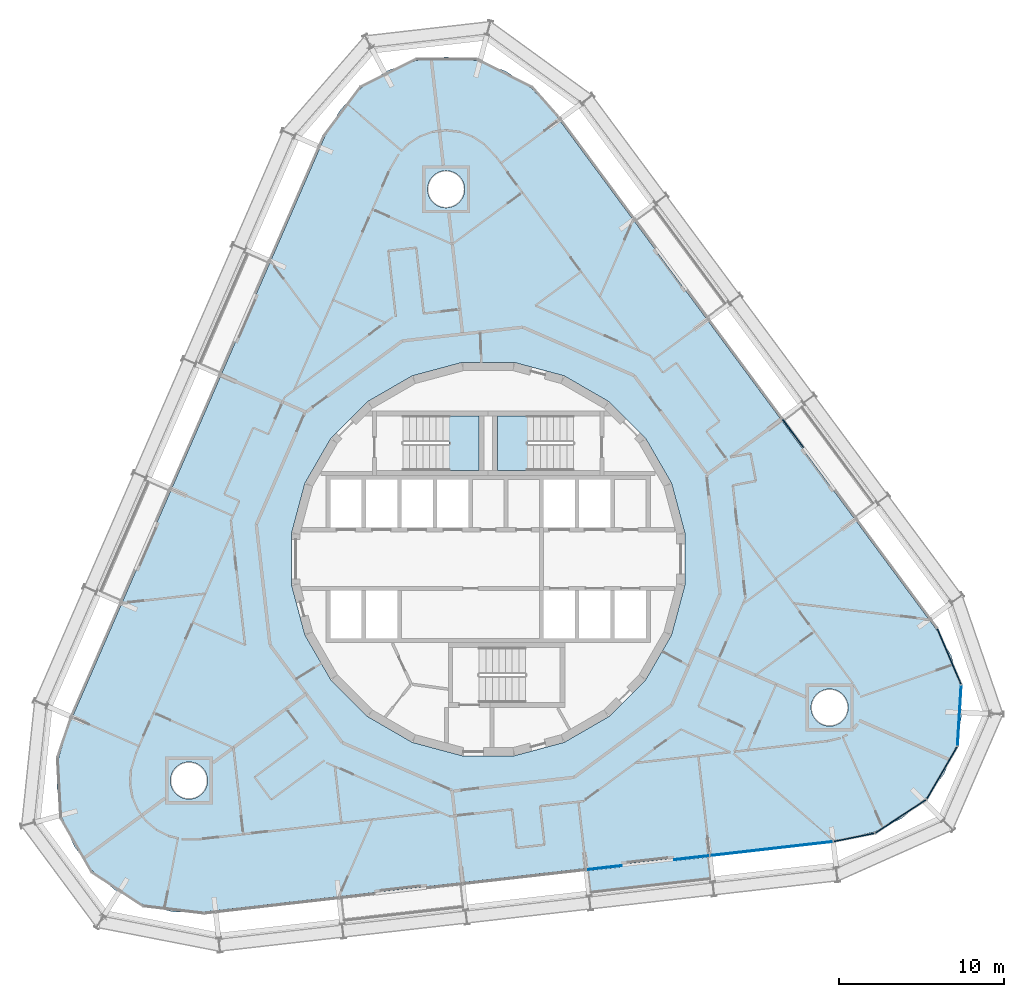
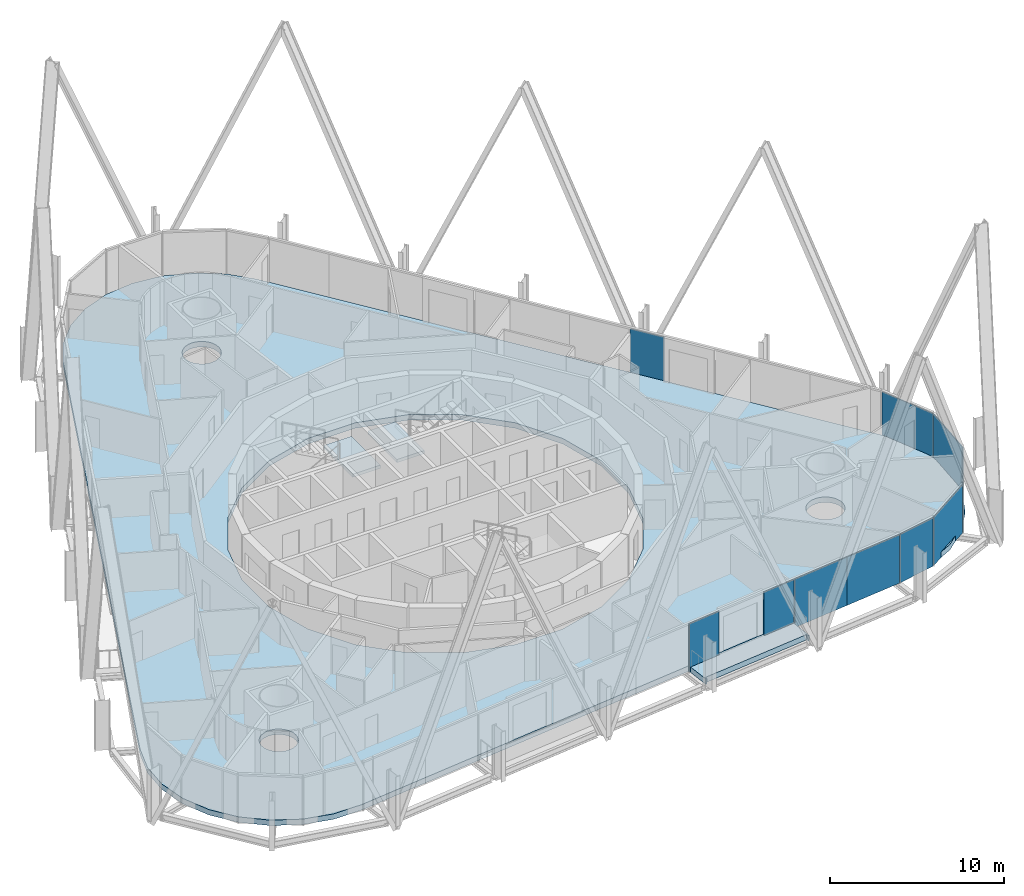
# One storey, part 14 of 23: 10 plates, 4 slabs, 5 elements without a shape of their own.
"""IFC4 building model written with IfcOpenShell, lengths in metres."""

from ifc_helpers import new_model, si_unit, direction, frame, origin, origin_2d, place, context, subcontext, project, spatial, polyline, rectangle, outline, extrude, material, layer, layer_set, type_object, element, aggregate, save


model = new_model("IFC4")

# Units and contexts
model_context = context("Model", 3, precision=1e-05, world=origin(), true_north=direction((0.0, 1.0)))
body_context = subcontext(model_context, "Body", "Model", "MODEL_VIEW")
ifc_project = project(units=[si_unit("LENGTHUNIT", "METRE"), si_unit("AREAUNIT", "SQUARE_METRE"), si_unit("VOLUMEUNIT", "CUBIC_METRE"), si_unit("PLANEANGLEUNIT", "RADIAN"), si_unit("MASSUNIT", "GRAM", prefix="KILO")], contexts=[model_context])

# Site, building, storey
site_placement = place(None, origin())
site = spatial("IfcSite", under=ifc_project, at=site_placement, CompositionType="ELEMENT")
building_placement = place(site_placement, origin())
building = spatial("IfcBuilding", under=site, at=building_placement, Name="Spindle Arch Residences", CompositionType="ELEMENT")
storey_placement = place(building_placement, frame((0.0, 0.0, 90.699951171875)))
storey = spatial("IfcBuildingStorey", under=building, at=storey_placement, Name="L21", CompositionType="ELEMENT", Elevation=90.699951171875)

# Slab
ifc_material_1 = material(Name="Concrete C40/50", Category="concrete")
ifc_layer_1 = layer(ifc_material_1, 0.3798828125)
ifc_layer_set_1 = layer_set([ifc_layer_1], Name="Balcony slab 380")
slab_type_1 = type_object("IfcSlabType", Name="Balcony slab 380", PredefinedType="FLOOR", material=ifc_layer_set_1)
slab_1_placement = place(storey_placement, frame((0.0, 0.0, -0.3798828125)))
element("IfcSlab", 1, at=slab_1_placement, inside=storey, type_object=slab_type_1, Name="Balcony L21 bay 1", PredefinedType="FLOOR", context=body_context, shape_type="SweptSolid", body=[
    extrude(outline(polyline([(6.176513671875, -20.339111328125), (6.2509765625, -20.33056640625), (6.234130859375, -20.181640625), (13.406494140625, -19.3642578125), (13.423583984375, -19.513427734375), (13.498046875, -19.5048828125), (13.329345703125, -18.0244140625), (11.25830078125, -18.260498046875), (11.240234375, -18.1015625), (8.060791015625, -18.463623046875), (8.078857421875, -18.62255859375), (6.0078125, -18.858642578125), (6.176513671875, -20.339111328125)])), origin(), (0.0, 0.0, 1.0), 0.3798828125),
])

# Stair, slab
ifc_material_2 = material(Name="Concrete C50/60", Category="concrete")
stair_type = type_object("IfcStairType", Name="Exit stair 16 risers", PredefinedType="HALF_TURN_STAIR", material=ifc_material_2)
stair_1_placement = place(storey_placement, origin())
stair_1 = element("IfcStair", 2, at=stair_1_placement, inside=storey, type_object=stair_type, Name="L21 Exit stair ST1", PredefinedType="HALF_TURN_STAIR")
ifc_material_3 = material(Name="Concrete C50/60", Category="concrete")
ifc_layer_2 = layer(ifc_material_3, 0.219970703125)
ifc_layer_set_2 = layer_set([ifc_layer_2], Name="Exit stair landing 220")
slab_type_2 = type_object("IfcSlabType", Name="Exit stair landing 220", PredefinedType="LANDING", material=ifc_layer_set_2)
slab_2_placement = place(storey_placement, frame((0.0, 0.0, 1.530029296875)))
slab_2 = element("IfcSlab", 3, at=slab_2_placement, type_object=slab_type_2, Name="ST1 landing 1", PredefinedType="LANDING", context=body_context, shape_type="SweptSolid", body=[
    extrude(outline(polyline([(2.3701171875, 8.669921875), (0.550048828125, 8.669921875), (0.550048828125, 5.35009765625), (2.3701171875, 5.35009765625), (2.3701171875, 8.669921875)])), origin(), (0.0, 0.0, 1.0), 0.219970703125),
])
aggregate(stair_1, [slab_2])

stair_2_placement = place(storey_placement, origin())
stair_2 = element("IfcStair", 4, at=stair_2_placement, inside=storey, type_object=stair_type, Name="L21 Exit stair ST2", PredefinedType="HALF_TURN_STAIR")
slab_3_placement = place(storey_placement, frame((0.0, 0.0, 1.530029296875)))
slab_3 = element("IfcSlab", 5, at=slab_3_placement, type_object=slab_type_2, Name="ST2 landing 1", PredefinedType="LANDING", context=body_context, shape_type="SweptSolid", body=[
    extrude(outline(polyline([(-2.3701171875, 5.35009765625), (-0.550048828125, 5.35009765625), (-0.550048828125, 8.669921875), (-2.3701171875, 8.669921875), (-2.3701171875, 5.35009765625)])), origin(), (0.0, 0.0, 1.0), 0.219970703125),
])
aggregate(stair_2, [slab_3])

# Slab
ifc_material_4 = material(Name="Concrete C40/50", Category="concrete")
ifc_layer_3 = layer(ifc_material_4, 0.3798828125)
ifc_layer_set_3 = layer_set([ifc_layer_3], Name="Floor slab 380")
slab_type_3 = type_object("IfcSlabType", Name="Floor slab 380", PredefinedType="FLOOR", material=ifc_layer_set_3)
slab_4_placement = place(storey_placement, frame((0.0, 0.0, -0.3798828125)))
element("IfcSlab", 6, at=slab_4_placement, inside=storey, type_object=slab_type_3, Name="Floor slab L21", PredefinedType="FLOOR", context=body_context, shape_type="SweptSolid", body=[
    extrude(outline(polyline([(-19.05078125, -21.335693359375), (-20.85693359375, -20.902099609375), (-22.514404296875, -20.0634765625), (-23.933837890625, -18.865478515625), (-25.038818359375, -17.372314453125), (-25.769287109375, -15.66455078125), (-26.086669921875, -13.83447265625), (-25.973388671875, -11.98046875), (-25.435302734375, -10.202392578125), (-9.88525390625, 25.560302734375), (-8.951904296875, 27.166259765625), (-7.673095703125, 28.513671875), (-6.118408203125, 29.52978515625), (-4.37109375, 30.159912109375), (-2.525390625, 30.370361328125), (-0.68115234375, 30.1494140625), (1.0625, 29.5087890625), (2.611328125, 28.483642578125), (3.882080078125, 27.12890625), (27.07861328125, -4.21923828125), (28.002685546875, -5.83056640625), (28.530029296875, -7.611572265625), (28.6328125, -9.46630859375), (28.304931640625, -11.294677734375), (27.564208984375, -12.998046875), (26.45068359375, -14.484619140625), (25.0244140625, -15.674560546875), (23.36181640625, -16.50341796875), (21.55322265625, -16.926513671875), (2.179931640625, -19.1337890625), (-17.193115234375, -21.341064453125), (-19.05078125, -21.335693359375)]), holes=[polyline([(7.30517578125, -9.520263671875), (9.520263671875, -7.30517578125), (11.086669921875, -4.59228515625), (11.897216796875, -1.56640625), (11.897216796875, 1.56640625), (11.086669921875, 4.59228515625), (9.520263671875, 7.30517578125), (7.30517578125, 9.520263671875), (4.59228515625, 11.086669921875), (1.56640625, 11.897216796875), (-1.56640625, 11.897216796875), (-4.59228515625, 11.086669921875), (-7.30517578125, 9.520263671875), (-9.520263671875, 7.30517578125), (-11.086669921875, 4.59228515625), (-11.897216796875, 1.56640625), (-11.897216796875, -1.56640625), (-11.086669921875, -4.59228515625), (-9.520263671875, -7.30517578125), (-7.30517578125, -9.520263671875), (-4.59228515625, -11.086669921875), (-1.56640625, -11.897216796875), (1.56640625, -11.897216796875), (4.59228515625, -11.086669921875), (7.30517578125, -9.520263671875)]), polyline([(-17.303466796875, -14.18798828125), (-17.16357421875, -14.017578125), (-17.0595703125, -13.822998046875), (-16.99560546875, -13.612060546875), (-16.973876953125, -13.392578125), (-16.99560546875, -13.173095703125), (-17.0595703125, -12.9619140625), (-17.16357421875, -12.767578125), (-17.303466796875, -12.596923828125), (-17.473876953125, -12.45703125), (-17.66845703125, -12.35302734375), (-17.87939453125, -12.2890625), (-18.098876953125, -12.267578125), (-18.318359375, -12.2890625), (-18.529296875, -12.35302734375), (-18.723876953125, -12.45703125), (-18.894287109375, -12.596923828125), (-19.0341796875, -12.767578125), (-19.13818359375, -12.9619140625), (-19.202392578125, -13.173095703125), (-19.223876953125, -13.392578125), (-19.202392578125, -13.612060546875), (-19.13818359375, -13.822998046875), (-19.0341796875, -14.017578125), (-18.894287109375, -14.18798828125), (-18.723876953125, -14.327880859375), (-18.529296875, -14.431884765625), (-18.318359375, -14.495849609375), (-18.098876953125, -14.517578125), (-17.87939453125, -14.495849609375), (-17.66845703125, -14.431884765625), (-17.473876953125, -14.327880859375), (-17.303466796875, -14.18798828125)]), polyline([(-1.75341796875, 21.57470703125), (-1.61328125, 21.745361328125), (-1.509521484375, 21.939697265625), (-1.4453125, 22.15087890625), (-1.423828125, 22.370361328125), (-1.4453125, 22.58984375), (-1.509521484375, 22.80078125), (-1.61328125, 22.995361328125), (-1.75341796875, 23.165771484375), (-1.923828125, 23.3056640625), (-2.118408203125, 23.40966796875), (-2.329345703125, 23.4736328125), (-2.548828125, 23.495361328125), (-2.768310546875, 23.4736328125), (-2.979248046875, 23.40966796875), (-3.173828125, 23.3056640625), (-3.34423828125, 23.165771484375), (-3.484130859375, 22.995361328125), (-3.588134765625, 22.80078125), (-3.652099609375, 22.58984375), (-3.673828125, 22.370361328125), (-3.652099609375, 22.15087890625), (-3.588134765625, 21.939697265625), (-3.484130859375, 21.745361328125), (-3.34423828125, 21.57470703125), (-3.173828125, 21.434814453125), (-2.979248046875, 21.330810546875), (-2.768310546875, 21.266845703125), (-2.548828125, 21.245361328125), (-2.329345703125, 21.266845703125), (-2.118408203125, 21.330810546875), (-1.923828125, 21.434814453125), (-1.75341796875, 21.57470703125)]), polyline([(21.443115234375, -9.773193359375), (21.5830078125, -9.602783203125), (21.68701171875, -9.408203125), (21.7509765625, -9.197265625), (21.772705078125, -8.977783203125), (21.7509765625, -8.75830078125), (21.68701171875, -8.54736328125), (21.5830078125, -8.352783203125), (21.443115234375, -8.182373046875), (21.272705078125, -8.04248046875), (21.078125, -7.9384765625), (20.8671875, -7.87451171875), (20.647705078125, -7.852783203125), (20.427978515625, -7.87451171875), (20.217041015625, -7.9384765625), (20.022705078125, -8.04248046875), (19.85205078125, -8.182373046875), (19.712158203125, -8.352783203125), (19.608154296875, -8.54736328125), (19.544189453125, -8.75830078125), (19.522705078125, -8.977783203125), (19.544189453125, -9.197265625), (19.608154296875, -9.408203125), (19.712158203125, -9.602783203125), (19.85205078125, -9.773193359375), (20.022705078125, -9.9130859375), (20.217041015625, -10.01708984375), (20.427978515625, -10.081298828125), (20.647705078125, -10.102783203125), (20.8671875, -10.081298828125), (21.078125, -10.01708984375), (21.272705078125, -9.9130859375), (21.443115234375, -9.773193359375)])]), origin(), (0.0, 0.0, 1.0), 0.3798828125),
])

# Curtain wall, plates
ifc_material_5 = material(Name="Aluminium bronze unitised frame with tinted glass", Category="aluminium")
ifc_layer_4 = layer(ifc_material_5, 0.159912109375)
ifc_layer_set_4 = layer_set([ifc_layer_4], Name="CW-D corner wall on the fillet arcs")
curtain_wall_type_1 = type_object("IfcCurtainWallType", Name="CW-D corner wall on the fillet arcs", PredefinedType="NOTDEFINED", material=ifc_layer_set_4)
curtain_wall_1_placement = place(storey_placement, origin())
curtain_wall_1 = element("IfcCurtainWall", 7, at=curtain_wall_1_placement, inside=storey, type_object=curtain_wall_type_1, Name="CW-D L21 run 1", PredefinedType="NOTDEFINED")
ifc_material_6 = material(Name="Tinted double glazing over aluminium faced non-combustible spandrel zone (K0)", Category="aluminium")
ifc_layer_5 = layer(ifc_material_6, 0.06005859375)
ifc_layer_set_5 = layer_set([ifc_layer_5], Name="Unitised glass panel with E 60 spandrel zone")
plate_type = type_object("IfcPlateType", Name="Unitised glass panel with E 60 spandrel zone", PredefinedType="CURTAIN_PANEL", material=ifc_layer_set_5)
plate_1_placement = place(storey_placement, frame((22.127197265625, -16.83203125, -0.3798828125), z_axis=(0.0, 0.0, 1.0), x_axis=(0.980430998553, 0.196863041416, 0.0)))
plate_1 = element("IfcPlate", 8, at=plate_1_placement, type_object=plate_type, Name="CW-D unit 00", PredefinedType="CURTAIN_PANEL", context=body_context, shape_type="SweptSolid", body=[
    extrude(rectangle(XDim=2.51416015625, YDim=0.06005859375, at=origin_2d()), origin(), (0.0, 0.0, 1.0), 3.3798828125),
])
plate_2_placement = place(storey_placement, frame((24.948974609375, -15.55908203125, -0.3798828125), z_axis=(0.0, 0.0, 1.0), x_axis=(0.83708272954, 0.547076323657, 0.0)))
plate_2 = element("IfcPlate", 9, at=plate_2_placement, type_object=plate_type, Name="CW-D unit 01", PredefinedType="CURTAIN_PANEL", context=body_context, shape_type="SweptSolid", body=[
    extrude(rectangle(XDim=3.666748046875, YDim=0.06005859375, at=origin_2d()), origin(), (0.0, 0.0, 1.0), 3.3798828125),
])
plate_3_placement = place(storey_placement, frame((27.445068359375, -12.9287109375, -0.3798828125), z_axis=(0.0, 0.0, 1.0), x_axis=(0.502517045345, 0.864567301682, 0.0)))
plate_3 = element("IfcPlate", 10, at=plate_3_placement, type_object=plate_type, Name="CW-D unit 02", PredefinedType="CURTAIN_PANEL", context=body_context, shape_type="SweptSolid", body=[
    extrude(rectangle(XDim=3.666748046875, YDim=0.06005859375, at=origin_2d()), origin(), (0.0, 0.0, 1.0), 3.3798828125),
])
plate_4_placement = place(storey_placement, frame((28.4951171875, -9.457763671875, -0.3798828125), z_axis=(0.0, 0.0, 1.0), x_axis=(0.06104853612, 0.998134798631, 0.0)))
plate_4 = element("IfcPlate", 11, at=plate_4_placement, type_object=plate_type, Name="CW-D unit 03", PredefinedType="CURTAIN_PANEL", context=body_context, shape_type="SweptSolid", body=[
    extrude(rectangle(XDim=3.666748046875, YDim=0.06005859375, at=origin_2d()), origin(), (0.0, 0.0, 1.0), 3.3798828125),
])
plate_5_placement = place(storey_placement, frame((27.8759765625, -5.884765625, -0.3798828125), z_axis=(0.0, 0.0, 1.0), x_axis=(-0.393407112882, 0.919364369298, 0.0)))
plate_5 = element("IfcPlate", 12, at=plate_5_placement, type_object=plate_type, Name="CW-D unit 04", PredefinedType="CURTAIN_PANEL", context=body_context, shape_type="SweptSolid", body=[
    extrude(rectangle(XDim=3.666748046875, YDim=0.06005859375, at=origin_2d()), origin(), (0.0, 0.0, 1.0), 3.3798828125),
])
aggregate(curtain_wall_1, [plate_1, plate_2, plate_3, plate_4, plate_5])

# Curtain wall, plate
ifc_material_7 = material(Name="Aluminium bronze unitised frame with tinted glass", Category="aluminium")
ifc_layer_6 = layer(ifc_material_7, 0.159912109375)
ifc_layer_set_6 = layer_set([ifc_layer_6], Name="CW-C typical residential unitised wall")
curtain_wall_type_2 = type_object("IfcCurtainWallType", Name="CW-C typical residential unitised wall", PredefinedType="NOTDEFINED", material=ifc_layer_set_6)
curtain_wall_2_placement = place(storey_placement, origin())
curtain_wall_2 = element("IfcCurtainWall", 13, at=curtain_wall_2_placement, inside=storey, type_object=curtain_wall_type_2, Name="CW-C L21 run 2", PredefinedType="NOTDEFINED")
plate_6_placement = place(storey_placement, frame((18.431884765625, 7.600341796875, -0.3798828125), z_axis=(0.0, 0.0, 1.0), x_axis=(-0.594822786751, 0.803856860617, 0.0)))
plate_6 = element("IfcPlate", 14, at=plate_6_placement, type_object=plate_type, Name="CW-C unit 06R", PredefinedType="CURTAIN_PANEL", context=body_context, shape_type="SweptSolid", body=[
    extrude(rectangle(XDim=2.12939453125, YDim=0.06005859375, at=origin_2d()), origin(), (0.0, 0.0, 1.0), 3.3798828125),
])
aggregate(curtain_wall_2, [plate_6])

# Curtain wall, plates
curtain_wall_3_placement = place(storey_placement, origin())
curtain_wall_3 = element("IfcCurtainWall", 15, at=curtain_wall_3_placement, inside=storey, type_object=curtain_wall_type_2, Name="CW-C L21 run 6", PredefinedType="NOTDEFINED")
plate_7_placement = place(storey_placement, frame((7.011962890625, -18.663818359375, -0.3798828125), z_axis=(0.0, 0.0, 1.0), x_axis=(0.993571855677, 0.113203213768, 0.0)))
plate_7 = element("IfcPlate", 16, at=plate_7_placement, type_object=plate_type, Name="CW-C unit 00L", PredefinedType="CURTAIN_PANEL", context=body_context, shape_type="SweptSolid", body=[
    extrude(rectangle(XDim=2.12939453125, YDim=0.06005859375, at=origin_2d()), origin(), (0.0, 0.0, 1.0), 3.3798828125),
])
plate_8_placement = place(storey_placement, frame((12.30712890625, -18.060302734375, -0.3798828125), z_axis=(0.0, 0.0, 1.0), x_axis=(0.993571855677, 0.113203213768, 0.0)))
plate_8 = element("IfcPlate", 17, at=plate_8_placement, type_object=plate_type, Name="CW-C unit 00R", PredefinedType="CURTAIN_PANEL", context=body_context, shape_type="SweptSolid", body=[
    extrude(rectangle(XDim=2.12939453125, YDim=0.06005859375, at=origin_2d()), origin(), (0.0, 0.0, 1.0), 3.3798828125),
])
plate_9_placement = place(storey_placement, frame((15.27734375, -17.721923828125, -0.3798828125), z_axis=(0.0, 0.0, 1.0), x_axis=(0.993571855677, 0.113203213768, 0.0)))
plate_9 = element("IfcPlate", 18, at=plate_9_placement, type_object=plate_type, Name="CW-C unit 01A", PredefinedType="CURTAIN_PANEL", context=body_context, shape_type="SweptSolid", body=[
    extrude(rectangle(XDim=3.7294921875, YDim=0.06005859375, at=origin_2d()), origin(), (0.0, 0.0, 1.0), 3.3798828125),
])
plate_10_placement = place(storey_placement, frame((18.982666015625, -17.2998046875, -0.3798828125), z_axis=(0.0, 0.0, 1.0), x_axis=(0.993571855677, 0.113203213768, 0.0)))
plate_10 = element("IfcPlate", 19, at=plate_10_placement, type_object=plate_type, Name="CW-C unit 01B", PredefinedType="CURTAIN_PANEL", context=body_context, shape_type="SweptSolid", body=[
    extrude(rectangle(XDim=3.7294921875, YDim=0.06005859375, at=origin_2d()), origin(), (0.0, 0.0, 1.0), 3.3798828125),
])
aggregate(curtain_wall_3, [plate_7, plate_8, plate_9, plate_10])

save(model, "model.ifc")
